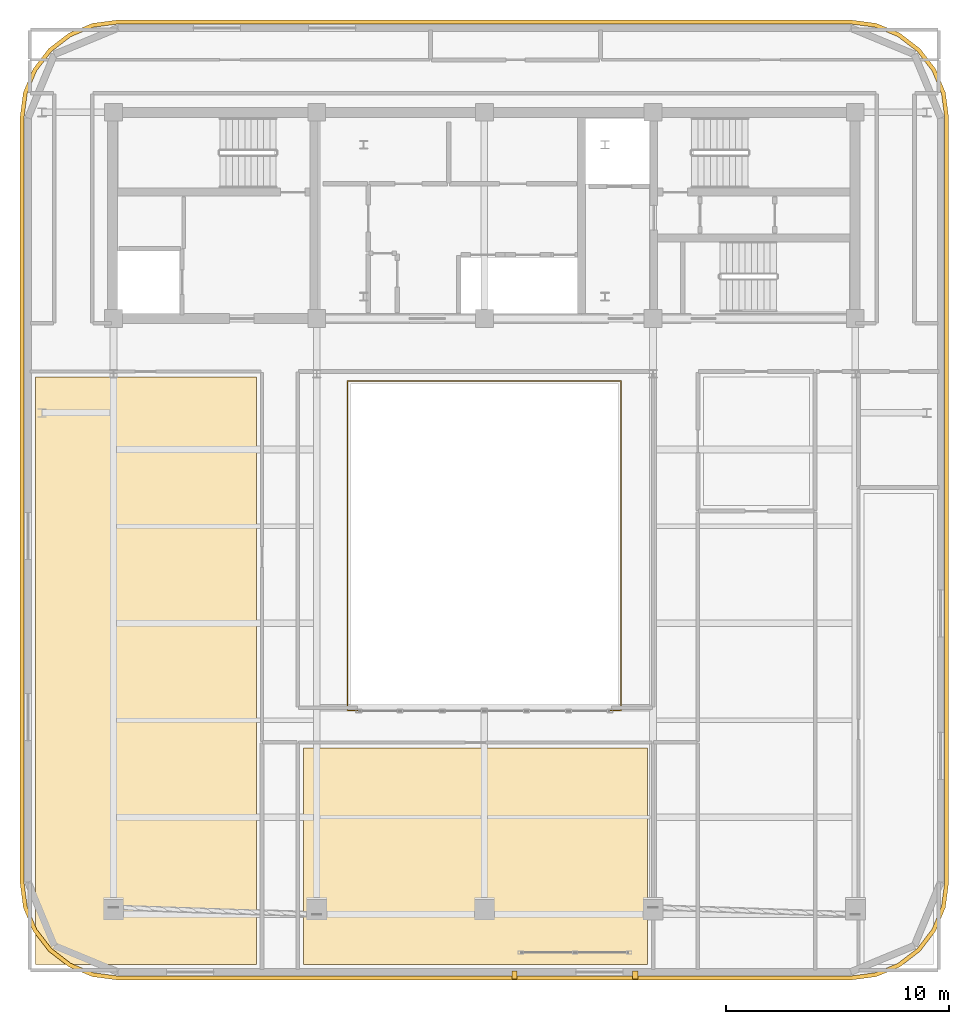
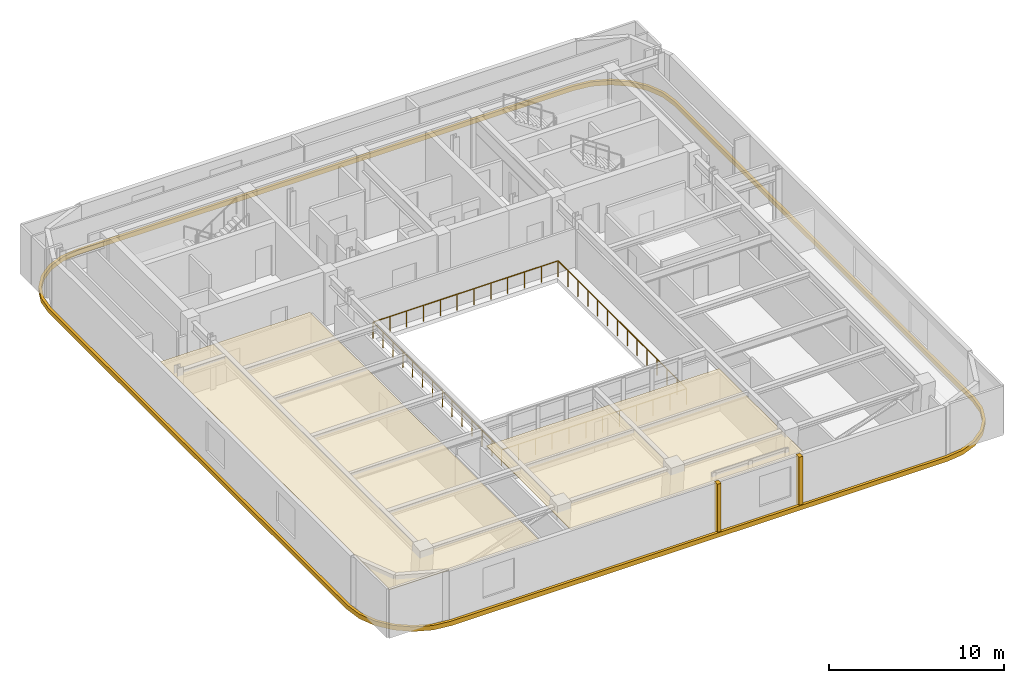
# One storey, part 10 of 12: 5 coverings, 1 railing.
"""IFC4 building model written with IfcOpenShell, lengths in metres."""

from ifc_helpers import new_model, si_unit, direction, frame, origin, origin_2d, place, context, subcontext, project, spatial, polyline, rectangle, outline, extrude, material, layer, layer_set, type_object, element, save


model = new_model("IFC4")

# Units and contexts
model_context = context("Model", 3, precision=1e-05, world=origin(), true_north=direction((0.0, 1.0)))
body_context = subcontext(model_context, "Body", "Model", "MODEL_VIEW")
ifc_project = project(units=[si_unit("LENGTHUNIT", "METRE"), si_unit("AREAUNIT", "SQUARE_METRE"), si_unit("VOLUMEUNIT", "CUBIC_METRE"), si_unit("PLANEANGLEUNIT", "RADIAN"), si_unit("MASSUNIT", "GRAM", prefix="KILO")], contexts=[model_context])

# Site, building, storey
site_placement = place(None, origin())
site = spatial("IfcSite", under=ifc_project, at=site_placement, CompositionType="ELEMENT")
building_placement = place(site_placement, origin())
building = spatial("IfcBuilding", under=site, at=building_placement, Name="Zarnavel Station Tower", CompositionType="ELEMENT")
storey_placement = place(building_placement, frame((0.0, 0.0, 273.199951171875)))
storey = spatial("IfcBuildingStorey", under=building, at=storey_placement, Name="L74", CompositionType="ELEMENT", Elevation=273.199951171875)

# Coverings
ifc_material_1 = material(Name="Perforated Gypsum and Mineral-Wool Acoustic Ceiling", Category="concrete")
ifc_layer = layer(ifc_material_1, 0.0400390625)
ifc_layer_set = layer_set([ifc_layer], Name="COV_CEIL_ACOUSTIC")
covering_type_1 = type_object("IfcCoveringType", Name="COV_CEIL_ACOUSTIC", PredefinedType="CEILING", material=ifc_layer_set)
covering_1_placement = place(storey_placement, frame((0.0, 0.0, 3.10009765625)))
element("IfcCovering", 1, at=covering_1_placement, inside=storey, type_object=covering_type_1, Name="L74 SREST Acoustic Ceiling", PredefinedType="CEILING", context=body_context, shape_type="SweptSolid", body=[
    extrude(outline(polyline([(8.7099609375, -1.090087890625), (18.60009765625, -1.090087890625), (18.60009765625, 25.199951171875), (8.7099609375, 25.199951171875), (8.7099609375, -1.090087890625)])), origin(), (0.0, 0.0, 1.0), 0.0400390625),
])
covering_2_placement = place(storey_placement, frame((0.0, 0.0, 3.10009765625)))
element("IfcCovering", 2, at=covering_2_placement, inside=storey, type_object=covering_type_1, Name="L74 SBAR Acoustic Ceiling", PredefinedType="CEILING", context=body_context, shape_type="SweptSolid", body=[
    extrude(outline(polyline([(20.699951171875, -1.090087890625), (36.10009765625, -1.090087890625), (36.10009765625, 8.60009765625), (20.699951171875, 8.60009765625), (20.699951171875, -1.090087890625)])), origin(), (0.0, 0.0, 1.0), 0.0400390625),
])
ifc_material_2 = material(Name="Precast concrete C45/55 (Pale Travertine Slab Band)", Category="masonry")
covering_type_2 = type_object("IfcCoveringType", Name="COV_TRAVERTINE_BAND", PredefinedType="CLADDING", material=ifc_material_2)
covering_3_placement = place(storey_placement, frame((0.0, 0.0, -0.260009765625)))
element("IfcCovering", 3, at=covering_3_placement, inside=storey, type_object=covering_type_2, Name="L74 Pale Travertine Slab-Edge Band", PredefinedType="CLADDING", context=body_context, shape_type="SweptSolid", body=[
    extrude(outline(polyline([(45.199951171875, -1.780029296875), (46.33349609375, -1.630859375), (47.389892578125, -1.193115234375), (48.297119140625, -0.4970703125), (48.9931640625, 0.409912109375), (49.430908203125, 1.46630859375), (49.580078125, 2.60009765625), (49.580078125, 36.800048828125), (49.430908203125, 37.93359375), (48.9931640625, 38.989990234375), (48.297119140625, 39.897216796875), (47.389892578125, 40.59326171875), (46.33349609375, 41.03076171875), (45.199951171875, 41.179931640625), (12.39990234375, 41.179931640625), (11.266357421875, 41.03076171875), (10.2099609375, 40.59326171875), (9.302978515625, 39.897216796875), (8.606689453125, 38.989990234375), (8.169189453125, 37.93359375), (8.02001953125, 36.800048828125), (8.02001953125, 2.60009765625), (8.169189453125, 1.46630859375), (8.606689453125, 0.409912109375), (9.302978515625, -0.4970703125), (10.2099609375, -1.193115234375), (11.266357421875, -1.630859375), (12.39990234375, -1.780029296875), (45.199951171875, -1.780029296875)]), holes=[polyline([(45.199951171875, -1.60009765625), (46.287109375, -1.456787109375), (47.300048828125, -1.037353515625), (48.169921875, -0.369873046875), (48.83740234375, 0.5), (49.2568359375, 1.512939453125), (49.39990234375, 2.60009765625), (49.39990234375, 36.800048828125), (49.2568359375, 37.886962890625), (48.83740234375, 38.89990234375), (48.169921875, 39.769775390625), (47.300048828125, 40.437255859375), (46.287109375, 40.85693359375), (45.199951171875, 41.0), (12.39990234375, 41.0), (11.31298828125, 40.85693359375), (10.300048828125, 40.437255859375), (9.43017578125, 39.769775390625), (8.7626953125, 38.89990234375), (8.343017578125, 37.886962890625), (8.199951171875, 36.800048828125), (8.199951171875, 2.60009765625), (8.343017578125, 1.512939453125), (8.7626953125, 0.5), (9.43017578125, -0.369873046875), (10.300048828125, -1.037353515625), (11.31298828125, -1.456787109375), (12.39990234375, -1.60009765625), (45.199951171875, -1.60009765625)])]), origin(), (0.0, 0.0, 1.0), 0.320068359375),
])
for number, where, z_axis, x_axis, name in (
    (4, (30.14990234375, -1.550048828125, 0.0), (0.0, 0.0, 1.0), (1.0, 0.0, 0.0), "L74 Travertine Portal Loggia Vertical Jog West"),
    (5, (35.550048828125, -1.550048828125, 0.0), (0.0, 0.0, 1.0), (1.0, 0.0, 0.0), "L74 Travertine Portal Loggia Vertical Jog East"),
):
    element("IfcCovering", number, at=place(storey_placement, frame(where, z_axis=z_axis, x_axis=x_axis)), inside=storey, type_object=covering_type_2, Name=name, PredefinedType="CLADDING", context=body_context, shape_type="SweptSolid", body=[
        extrude(rectangle(XDim=0.239990234375, YDim=0.360107421875, at=origin_2d()), origin(), (0.0, 0.0, 1.0), 3.419921875),
    ])

# Railing
ifc_material_3 = material(Name="Painted Steel S355J2 Balustrade", Category="steel")
railing_type = type_object("IfcRailingType", Name="GR_INT_1150", PredefinedType="GUARDRAIL", material=ifc_material_3)
railing_placement = place(storey_placement, frame((22.679931640625, 10.280029296875, 0.0)))
element("IfcRailing", 6, at=railing_placement, inside=storey, type_object=railing_type, Name="L74 Atrium Void Guardrail", PredefinedType="GUARDRAIL", context=body_context, shape_type="SweptSolid", body=[
    extrude(rectangle(XDim=0.048095703125, YDim=0.048095703125, at=origin_2d()), frame((0.001953125, 0.0, 1.1259765625), z_axis=(1.0, 0.0, 0.0), x_axis=(0.0, 1.0, 0.0)), (0.0, 0.0, 1.0), 12.236083984375),
    extrude(rectangle(XDim=0.048095703125, YDim=0.048095703125, at=origin_2d()), frame((12.239990234375, 0.001953125, 1.1259765625), z_axis=(0.0, 1.0, 0.0), x_axis=(-1.0, 0.0, 0.0)), (0.0, 0.0, 1.0), 14.736083984375),
    extrude(rectangle(XDim=0.048095703125, YDim=0.048095703125, at=origin_2d()), frame((12.238037109375, 14.739990234375, 1.1259765625), z_axis=(-1.0, 0.0, 0.0), x_axis=(0.0, -1.0, 0.0)), (0.0, 0.0, 1.0), 12.236083984375),
    extrude(rectangle(XDim=0.048095703125, YDim=0.048095703125, at=origin_2d()), frame((0.0, 14.738037109375, 1.1259765625), z_axis=(0.0, -1.0, 0.0), x_axis=(1.0, 0.0, 0.0)), (0.0, 0.0, 1.0), 14.736083984375),
    extrude(rectangle(XDim=0.0419921875, YDim=0.0419921875, at=origin_2d()), origin(), (0.0, 0.0, 1.0), 1.101806640625),
    extrude(rectangle(XDim=0.0419921875, YDim=0.0419921875, at=origin_2d()), frame((1.11279296875, 0.0, 0.0)), (0.0, 0.0, 1.0), 1.101806640625),
    extrude(rectangle(XDim=0.0419921875, YDim=0.0419921875, at=origin_2d()), frame((2.225341796875, 0.0, 0.0)), (0.0, 0.0, 1.0), 1.101806640625),
    extrude(rectangle(XDim=0.0419921875, YDim=0.0419921875, at=origin_2d()), frame((3.338134765625, 0.0, 0.0)), (0.0, 0.0, 1.0), 1.101806640625),
    extrude(rectangle(XDim=0.0419921875, YDim=0.0419921875, at=origin_2d()), frame((4.450927734375, 0.0, 0.0)), (0.0, 0.0, 1.0), 1.101806640625),
    extrude(rectangle(XDim=0.0419921875, YDim=0.0419921875, at=origin_2d()), frame((5.563720703125, 0.0, 0.0)), (0.0, 0.0, 1.0), 1.101806640625),
    extrude(rectangle(XDim=0.0419921875, YDim=0.0419921875, at=origin_2d()), frame((6.67626953125, 0.0, 0.0)), (0.0, 0.0, 1.0), 1.101806640625),
    extrude(rectangle(XDim=0.0419921875, YDim=0.0419921875, at=origin_2d()), frame((7.7890625, 0.0, 0.0)), (0.0, 0.0, 1.0), 1.101806640625),
    extrude(rectangle(XDim=0.0419921875, YDim=0.0419921875, at=origin_2d()), frame((8.90185546875, 0.0, 0.0)), (0.0, 0.0, 1.0), 1.101806640625),
    extrude(rectangle(XDim=0.0419921875, YDim=0.0419921875, at=origin_2d()), frame((10.0146484375, 0.0, 0.0)), (0.0, 0.0, 1.0), 1.101806640625),
    extrude(rectangle(XDim=0.0419921875, YDim=0.0419921875, at=origin_2d()), frame((11.127197265625, 0.0, 0.0)), (0.0, 0.0, 1.0), 1.101806640625),
    extrude(rectangle(XDim=0.0419921875, YDim=0.0419921875, at=origin_2d()), frame((12.239990234375, 0.0, 0.0)), (0.0, 0.0, 1.0), 1.101806640625),
    extrude(rectangle(XDim=0.0419921875, YDim=0.0419921875, at=origin_2d()), frame((12.239990234375, 1.1337890625, 0.0)), (0.0, 0.0, 1.0), 1.101806640625),
    extrude(rectangle(XDim=0.0419921875, YDim=0.0419921875, at=origin_2d()), frame((12.239990234375, 2.267578125, 0.0)), (0.0, 0.0, 1.0), 1.101806640625),
    extrude(rectangle(XDim=0.0419921875, YDim=0.0419921875, at=origin_2d()), frame((12.239990234375, 3.401611328125, 0.0)), (0.0, 0.0, 1.0), 1.101806640625),
    extrude(rectangle(XDim=0.0419921875, YDim=0.0419921875, at=origin_2d()), frame((12.239990234375, 4.535400390625, 0.0)), (0.0, 0.0, 1.0), 1.101806640625),
    extrude(rectangle(XDim=0.0419921875, YDim=0.0419921875, at=origin_2d()), frame((12.239990234375, 5.669189453125, 0.0)), (0.0, 0.0, 1.0), 1.101806640625),
    extrude(rectangle(XDim=0.0419921875, YDim=0.0419921875, at=origin_2d()), frame((12.239990234375, 6.802978515625, 0.0)), (0.0, 0.0, 1.0), 1.101806640625),
    extrude(rectangle(XDim=0.0419921875, YDim=0.0419921875, at=origin_2d()), frame((12.239990234375, 7.93701171875, 0.0)), (0.0, 0.0, 1.0), 1.101806640625),
    extrude(rectangle(XDim=0.0419921875, YDim=0.0419921875, at=origin_2d()), frame((12.239990234375, 9.07080078125, 0.0)), (0.0, 0.0, 1.0), 1.101806640625),
    extrude(rectangle(XDim=0.0419921875, YDim=0.0419921875, at=origin_2d()), frame((12.239990234375, 10.20458984375, 0.0)), (0.0, 0.0, 1.0), 1.101806640625),
    extrude(rectangle(XDim=0.0419921875, YDim=0.0419921875, at=origin_2d()), frame((12.239990234375, 11.33837890625, 0.0)), (0.0, 0.0, 1.0), 1.101806640625),
    extrude(rectangle(XDim=0.0419921875, YDim=0.0419921875, at=origin_2d()), frame((12.239990234375, 12.472412109375, 0.0)), (0.0, 0.0, 1.0), 1.101806640625),
    extrude(rectangle(XDim=0.0419921875, YDim=0.0419921875, at=origin_2d()), frame((12.239990234375, 13.606201171875, 0.0)), (0.0, 0.0, 1.0), 1.101806640625),
    extrude(rectangle(XDim=0.0419921875, YDim=0.0419921875, at=origin_2d()), frame((12.239990234375, 14.739990234375, 0.0)), (0.0, 0.0, 1.0), 1.101806640625),
    extrude(rectangle(XDim=0.0419921875, YDim=0.0419921875, at=origin_2d()), frame((11.127197265625, 14.739990234375, 0.0)), (0.0, 0.0, 1.0), 1.101806640625),
    extrude(rectangle(XDim=0.0419921875, YDim=0.0419921875, at=origin_2d()), frame((10.0146484375, 14.739990234375, 0.0)), (0.0, 0.0, 1.0), 1.101806640625),
    extrude(rectangle(XDim=0.0419921875, YDim=0.0419921875, at=origin_2d()), frame((8.90185546875, 14.739990234375, 0.0)), (0.0, 0.0, 1.0), 1.101806640625),
    extrude(rectangle(XDim=0.0419921875, YDim=0.0419921875, at=origin_2d()), frame((7.7890625, 14.739990234375, 0.0)), (0.0, 0.0, 1.0), 1.101806640625),
    extrude(rectangle(XDim=0.0419921875, YDim=0.0419921875, at=origin_2d()), frame((6.67626953125, 14.739990234375, 0.0)), (0.0, 0.0, 1.0), 1.101806640625),
    extrude(rectangle(XDim=0.0419921875, YDim=0.0419921875, at=origin_2d()), frame((5.563720703125, 14.739990234375, 0.0)), (0.0, 0.0, 1.0), 1.101806640625),
    extrude(rectangle(XDim=0.0419921875, YDim=0.0419921875, at=origin_2d()), frame((4.450927734375, 14.739990234375, 0.0)), (0.0, 0.0, 1.0), 1.101806640625),
    extrude(rectangle(XDim=0.0419921875, YDim=0.0419921875, at=origin_2d()), frame((3.338134765625, 14.739990234375, 0.0)), (0.0, 0.0, 1.0), 1.101806640625),
    extrude(rectangle(XDim=0.0419921875, YDim=0.0419921875, at=origin_2d()), frame((2.225341796875, 14.739990234375, 0.0)), (0.0, 0.0, 1.0), 1.101806640625),
    extrude(rectangle(XDim=0.0419921875, YDim=0.0419921875, at=origin_2d()), frame((1.11279296875, 14.739990234375, 0.0)), (0.0, 0.0, 1.0), 1.101806640625),
    extrude(rectangle(XDim=0.0419921875, YDim=0.0419921875, at=origin_2d()), frame((0.0, 14.739990234375, 0.0)), (0.0, 0.0, 1.0), 1.101806640625),
    extrude(rectangle(XDim=0.0419921875, YDim=0.0419921875, at=origin_2d()), frame((0.0, 13.606201171875, 0.0)), (0.0, 0.0, 1.0), 1.101806640625),
    extrude(rectangle(XDim=0.0419921875, YDim=0.0419921875, at=origin_2d()), frame((0.0, 12.472412109375, 0.0)), (0.0, 0.0, 1.0), 1.101806640625),
    extrude(rectangle(XDim=0.0419921875, YDim=0.0419921875, at=origin_2d()), frame((0.0, 11.33837890625, 0.0)), (0.0, 0.0, 1.0), 1.101806640625),
    extrude(rectangle(XDim=0.0419921875, YDim=0.0419921875, at=origin_2d()), frame((0.0, 10.20458984375, 0.0)), (0.0, 0.0, 1.0), 1.101806640625),
    extrude(rectangle(XDim=0.0419921875, YDim=0.0419921875, at=origin_2d()), frame((0.0, 9.07080078125, 0.0)), (0.0, 0.0, 1.0), 1.101806640625),
    extrude(rectangle(XDim=0.0419921875, YDim=0.0419921875, at=origin_2d()), frame((0.0, 7.93701171875, 0.0)), (0.0, 0.0, 1.0), 1.101806640625),
    extrude(rectangle(XDim=0.0419921875, YDim=0.0419921875, at=origin_2d()), frame((0.0, 6.802978515625, 0.0)), (0.0, 0.0, 1.0), 1.101806640625),
    extrude(rectangle(XDim=0.0419921875, YDim=0.0419921875, at=origin_2d()), frame((0.0, 5.669189453125, 0.0)), (0.0, 0.0, 1.0), 1.101806640625),
    extrude(rectangle(XDim=0.0419921875, YDim=0.0419921875, at=origin_2d()), frame((0.0, 4.535400390625, 0.0)), (0.0, 0.0, 1.0), 1.101806640625),
    extrude(rectangle(XDim=0.0419921875, YDim=0.0419921875, at=origin_2d()), frame((0.0, 3.401611328125, 0.0)), (0.0, 0.0, 1.0), 1.101806640625),
    extrude(rectangle(XDim=0.0419921875, YDim=0.0419921875, at=origin_2d()), frame((0.0, 2.267578125, 0.0)), (0.0, 0.0, 1.0), 1.101806640625),
    extrude(rectangle(XDim=0.0419921875, YDim=0.0419921875, at=origin_2d()), frame((0.0, 1.1337890625, 0.0)), (0.0, 0.0, 1.0), 1.101806640625),
])

save(model, "model.ifc")
